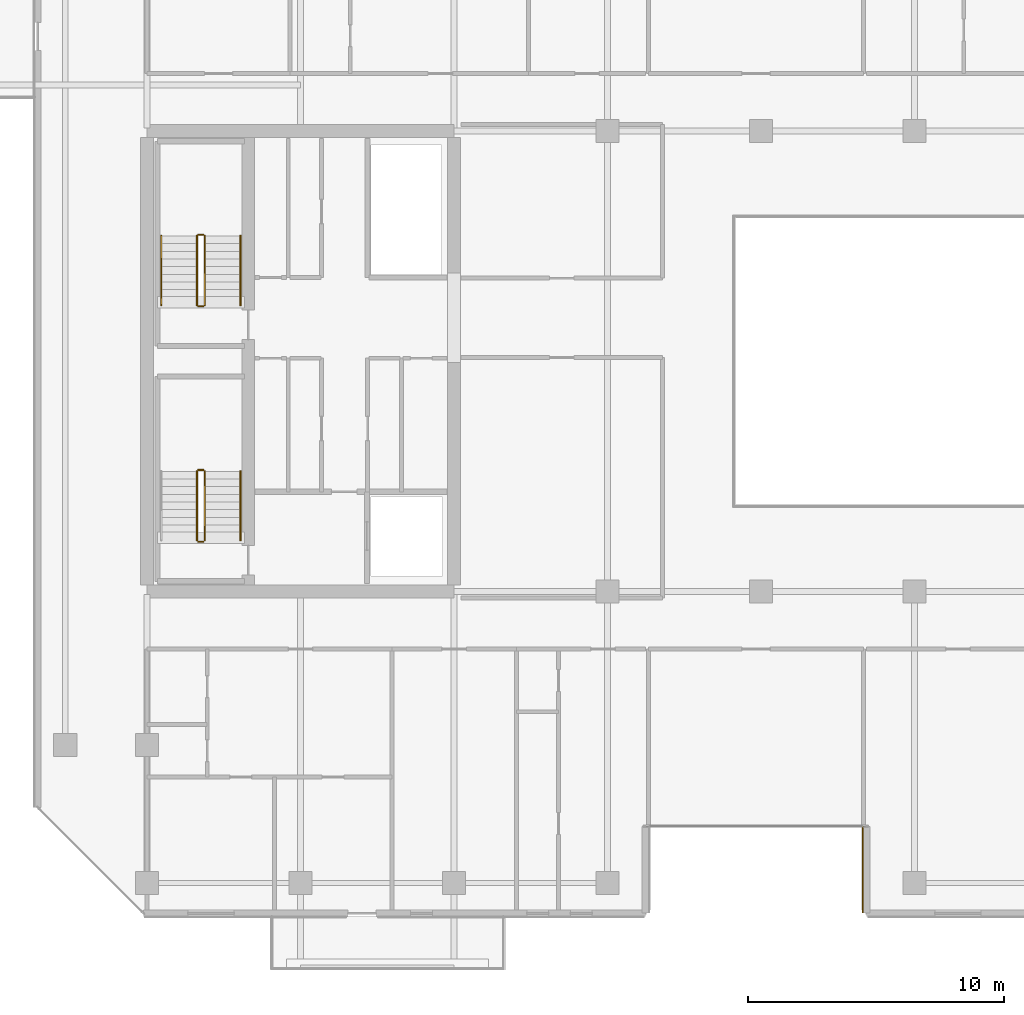
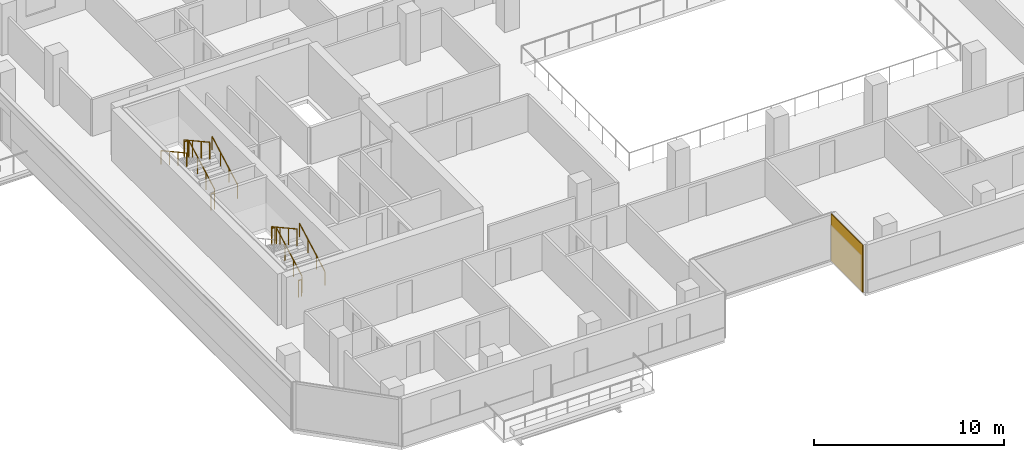
# One storey, part 27 of 29: 11 railings, 1 covering.
"""IFC4 building model written with IfcOpenShell, lengths in metres."""

from ifc_helpers import new_model, si_unit, direction, frame, origin, origin_2d, place, context, subcontext, project, spatial, rectangle, extrude, material, layer, layer_set, type_object, element, save


model = new_model("IFC4")

# Units and contexts
model_context = context("Model", 3, precision=1e-05, world=origin(), true_north=direction((0.0, 1.0)))
body_context = subcontext(model_context, "Body", "Model", "MODEL_VIEW")
ifc_project = project(units=[si_unit("LENGTHUNIT", "METRE"), si_unit("AREAUNIT", "SQUARE_METRE"), si_unit("VOLUMEUNIT", "CUBIC_METRE"), si_unit("PLANEANGLEUNIT", "RADIAN"), si_unit("MASSUNIT", "GRAM", prefix="KILO")], contexts=[model_context])

# Site, building, storey
site_placement = place(None, origin())
site = spatial("IfcSite", under=ifc_project, at=site_placement, CompositionType="ELEMENT")
building_placement = place(site_placement, origin())
building = spatial("IfcBuilding", under=site, at=building_placement, Name="Tanjung Sevakor Pilgrim Tower", CompositionType="ELEMENT")
storey_placement = place(building_placement, frame((0.0, 0.0, 151.800048828125)))
storey = spatial("IfcBuildingStorey", under=building, at=storey_placement, Name="L42", CompositionType="ELEMENT", Elevation=151.800048828125)

# Covering
ifc_material_1 = material(Name="Reconstructed Limestone Cladding", Category="masonry")
ifc_layer = layer(ifc_material_1, 0.044921875)
ifc_layer_set = layer_set([ifc_layer], Name="COV-CLAD-LIMESTONE")
covering_type = type_object("IfcCoveringType", Name="COV-CLAD-LIMESTONE", PredefinedType="CLADDING", material=ifc_layer_set)
covering_placement = place(storey_placement, frame((51.9775390625, 13.72509765625, 0.02001953125), z_axis=(0.0, 0.0, 1.0), x_axis=(0.0, -1.0, 0.0)))
element("IfcCovering", 1, at=covering_placement, inside=storey, type_object=covering_type, Name="L42 Warm Limestone Wall Cladding EW-L42-MAIN-4", PredefinedType="CLADDING", context=body_context, shape_type="SweptSolid", body=[
    extrude(rectangle(XDim=3.360107421875, YDim=0.044921875, at=origin_2d()), origin(), (0.0, 0.0, 1.0), 3.0400390625),
])

# Railings
ifc_material_2 = material(Name="Steel S355J2", Category="steel")
railing_type_1 = type_object("IfcRailingType", Name="RL-STAIR-GUARD", PredefinedType="GUARDRAIL", material=ifc_material_2)
railing_1_placement = place(storey_placement, frame((26.25, 26.60009765625, 0.1650390625)))
element("IfcRailing", 2, at=railing_1_placement, inside=storey, type_object=railing_type_1, Name="L42 TS-W1 stair guard 1", PredefinedType="GUARDRAIL", context=body_context, shape_type="SweptSolid", body=[
    extrude(rectangle(XDim=0.0479, YDim=0.0479), frame((0.0, 0.0, 1.076171875), z_axis=(0.0, 0.876230963923, 0.481891375584), x_axis=(-1.0, 0.0, 0.0)), (0.0, 0.0, 1.0), 3.081298828125),
    extrude(rectangle(XDim=0.042, YDim=0.042), origin(), (0.0, 0.0, 1.0), 1.052001953125),
    extrude(rectangle(XDim=0.042, YDim=0.042), frame((0.0, 0.89990234375, 0.494873046875)), (0.0, 0.0, 1.0), 1.052001953125),
    extrude(rectangle(XDim=0.042, YDim=0.042), frame((0.0, 1.800048828125, 0.989990234375)), (0.0, 0.0, 1.0), 1.052001953125),
    extrude(rectangle(XDim=0.042, YDim=0.042), frame((0.0, 2.699951171875, 1.48486328125)), (0.0, 0.0, 1.0), 1.052001953125),
])
railing_2_placement = place(storey_placement, frame((26.199951171875, 29.35009765625, 1.64990234375)))
element("IfcRailing", 3, at=railing_2_placement, inside=storey, type_object=railing_type_1, Name="L42 TS-W1 stair guard 2", PredefinedType="GUARDRAIL", context=body_context, shape_type="SweptSolid", body=[
    extrude(rectangle(XDim=0.0479, YDim=0.0479), frame((0.0, 0.0, 1.076171875), z_axis=(-1.0, 0.0, 0.0), x_axis=(0.0, -1.0, 0.0)), (0.0, 0.0, 1.0), 0.199951171875),
    extrude(rectangle(XDim=0.042, YDim=0.042), origin(), (0.0, 0.0, 1.0), 1.052001953125),
    extrude(rectangle(XDim=0.042, YDim=0.042), frame((-0.199951171875, 0.0, 0.0)), (0.0, 0.0, 1.0), 1.052001953125),
])
railing_3_placement = place(storey_placement, frame((25.949951171875, 29.300048828125, 1.81494140625)))
element("IfcRailing", 4, at=railing_3_placement, inside=storey, type_object=railing_type_1, Name="L42 TS-W1 stair guard 3", PredefinedType="GUARDRAIL", context=body_context, shape_type="SweptSolid", body=[
    extrude(rectangle(XDim=0.0479, YDim=0.0479), frame((0.0, 0.0, 1.076171875), z_axis=(0.0, -0.876197507361, 0.481952205197), x_axis=(1.0, 0.0, 0.0)), (0.0, 0.0, 1.0), 3.08154296875),
    extrude(rectangle(XDim=0.042, YDim=0.042), origin(), (0.0, 0.0, 1.0), 1.052001953125),
    extrude(rectangle(XDim=0.042, YDim=0.042), frame((0.0, -0.89990234375, 0.4951171875)), (0.0, 0.0, 1.0), 1.052001953125),
    extrude(rectangle(XDim=0.042, YDim=0.042), frame((0.0, -1.800048828125, 0.989990234375)), (0.0, 0.0, 1.0), 1.052001953125),
    extrude(rectangle(XDim=0.042, YDim=0.042), frame((0.0, -2.699951171875, 1.485107421875)), (0.0, 0.0, 1.0), 1.052001953125),
])
railing_4_placement = place(storey_placement, frame((26.199951171875, 26.550048828125, 0.0)))
element("IfcRailing", 5, at=railing_4_placement, inside=storey, type_object=railing_type_1, Name="L42 TS-W1 stair guard 4", PredefinedType="GUARDRAIL", context=body_context, shape_type="SweptSolid", body=[
    extrude(rectangle(XDim=0.0479, YDim=0.0479), frame((0.0, 0.0, 1.076171875), z_axis=(-1.0, 0.0, 0.0), x_axis=(0.0, -1.0, 0.0)), (0.0, 0.0, 1.0), 0.199951171875),
    extrude(rectangle(XDim=0.042, YDim=0.042), origin(), (0.0, 0.0, 1.0), 1.052001953125),
    extrude(rectangle(XDim=0.042, YDim=0.042), frame((-0.199951171875, 0.0, 0.0)), (0.0, 0.0, 1.0), 1.052001953125),
])
railing_5_placement = place(storey_placement, frame((26.25, 35.800048828125, 0.1650390625)))
element("IfcRailing", 6, at=railing_5_placement, inside=storey, type_object=railing_type_1, Name="L42 TS-W2 stair guard 1", PredefinedType="GUARDRAIL", context=body_context, shape_type="SweptSolid", body=[
    extrude(rectangle(XDim=0.0479, YDim=0.0479), frame((0.0, 0.0, 1.076171875), z_axis=(0.0, 0.876230963923, 0.481891375584), x_axis=(-1.0, 0.0, 0.0)), (0.0, 0.0, 1.0), 3.081298828125),
    extrude(rectangle(XDim=0.042, YDim=0.042), origin(), (0.0, 0.0, 1.0), 1.052001953125),
    extrude(rectangle(XDim=0.042, YDim=0.042), frame((0.0, 0.89990234375, 0.494873046875)), (0.0, 0.0, 1.0), 1.052001953125),
    extrude(rectangle(XDim=0.042, YDim=0.042), frame((0.0, 1.800048828125, 0.989990234375)), (0.0, 0.0, 1.0), 1.052001953125),
    extrude(rectangle(XDim=0.042, YDim=0.042), frame((0.0, 2.699951171875, 1.48486328125)), (0.0, 0.0, 1.0), 1.052001953125),
])
railing_6_placement = place(storey_placement, frame((26.199951171875, 38.550048828125, 1.64990234375)))
element("IfcRailing", 7, at=railing_6_placement, inside=storey, type_object=railing_type_1, Name="L42 TS-W2 stair guard 2", PredefinedType="GUARDRAIL", context=body_context, shape_type="SweptSolid", body=[
    extrude(rectangle(XDim=0.0479, YDim=0.0479), frame((0.0, 0.0, 1.076171875), z_axis=(-1.0, 0.0, 0.0), x_axis=(0.0, -1.0, 0.0)), (0.0, 0.0, 1.0), 0.199951171875),
    extrude(rectangle(XDim=0.042, YDim=0.042), origin(), (0.0, 0.0, 1.0), 1.052001953125),
    extrude(rectangle(XDim=0.042, YDim=0.042), frame((-0.199951171875, 0.0, 0.0)), (0.0, 0.0, 1.0), 1.052001953125),
])
railing_7_placement = place(storey_placement, frame((25.949951171875, 38.5, 1.81494140625)))
element("IfcRailing", 8, at=railing_7_placement, inside=storey, type_object=railing_type_1, Name="L42 TS-W2 stair guard 3", PredefinedType="GUARDRAIL", context=body_context, shape_type="SweptSolid", body=[
    extrude(rectangle(XDim=0.0479, YDim=0.0479), frame((0.0, 0.0, 1.076171875), z_axis=(0.0, -0.876197507361, 0.481952205197), x_axis=(1.0, 0.0, 0.0)), (0.0, 0.0, 1.0), 3.08154296875),
    extrude(rectangle(XDim=0.042, YDim=0.042), origin(), (0.0, 0.0, 1.0), 1.052001953125),
    extrude(rectangle(XDim=0.042, YDim=0.042), frame((0.0, -0.89990234375, 0.4951171875)), (0.0, 0.0, 1.0), 1.052001953125),
    extrude(rectangle(XDim=0.042, YDim=0.042), frame((0.0, -1.800048828125, 0.989990234375)), (0.0, 0.0, 1.0), 1.052001953125),
    extrude(rectangle(XDim=0.042, YDim=0.042), frame((0.0, -2.699951171875, 1.485107421875)), (0.0, 0.0, 1.0), 1.052001953125),
])
railing_8_placement = place(storey_placement, frame((26.199951171875, 35.75, 0.0)))
element("IfcRailing", 9, at=railing_8_placement, inside=storey, type_object=railing_type_1, Name="L42 TS-W2 stair guard 4", PredefinedType="GUARDRAIL", context=body_context, shape_type="SweptSolid", body=[
    extrude(rectangle(XDim=0.0479, YDim=0.0479), frame((0.0, 0.0, 1.076171875), z_axis=(-1.0, 0.0, 0.0), x_axis=(0.0, -1.0, 0.0)), (0.0, 0.0, 1.0), 0.199951171875),
    extrude(rectangle(XDim=0.042, YDim=0.042), origin(), (0.0, 0.0, 1.0), 1.052001953125),
    extrude(rectangle(XDim=0.042, YDim=0.042), frame((-0.199951171875, 0.0, 0.0)), (0.0, 0.0, 1.0), 1.052001953125),
])
ifc_material_3 = material(Name="Steel S355J2", Category="steel")
railing_type_2 = type_object("IfcRailingType", Name="RL-STAIR-HAND", PredefinedType="HANDRAIL", material=ifc_material_3)
for number, where, name in (
    (10, (27.64990234375, 26.60009765625, 0.1650390625), "L42 TS-W1 stair handrail 1"),
    (11, (27.64990234375, 35.800048828125, 0.1650390625), "L42 TS-W2 stair handrail 1"),
):
    element("IfcRailing", number, at=place(storey_placement, frame(where)), inside=storey, type_object=railing_type_2, Name=name, PredefinedType="HANDRAIL", context=body_context, shape_type="SweptSolid", body=[
        extrude(rectangle(XDim=0.0479, YDim=0.0479), frame((0.0, 0.0, 0.8759765625), z_axis=(0.0, 0.876230963923, 0.481891375584), x_axis=(-1.0, 0.0, 0.0)), (0.0, 0.0, 1.0), 3.081298828125),
        extrude(rectangle(XDim=0.042, YDim=0.042), origin(), (0.0, 0.0, 1.0), 0.851806640625),
        extrude(rectangle(XDim=0.042, YDim=0.042), frame((0.0, 0.89990234375, 0.494873046875)), (0.0, 0.0, 1.0), 0.851806640625),
        extrude(rectangle(XDim=0.042, YDim=0.042), frame((0.0, 1.800048828125, 0.989990234375)), (0.0, 0.0, 1.0), 0.851806640625),
        extrude(rectangle(XDim=0.042, YDim=0.042), frame((0.0, 2.699951171875, 1.48486328125)), (0.0, 0.0, 1.0), 0.851806640625),
    ])
railing_9_placement = place(storey_placement, frame((24.550048828125, 38.5, 1.81494140625)))
element("IfcRailing", 12, at=railing_9_placement, inside=storey, type_object=railing_type_2, Name="L42 TS-W2 stair handrail 2", PredefinedType="HANDRAIL", context=body_context, shape_type="SweptSolid", body=[
    extrude(rectangle(XDim=0.0479, YDim=0.0479), frame((0.0, 0.0, 0.8759765625), z_axis=(0.0, -0.876197507361, 0.481952205197), x_axis=(1.0, 0.0, 0.0)), (0.0, 0.0, 1.0), 3.08154296875),
    extrude(rectangle(XDim=0.042, YDim=0.042), origin(), (0.0, 0.0, 1.0), 0.851806640625),
    extrude(rectangle(XDim=0.042, YDim=0.042), frame((0.0, -0.89990234375, 0.4951171875)), (0.0, 0.0, 1.0), 0.851806640625),
    extrude(rectangle(XDim=0.042, YDim=0.042), frame((0.0, -1.800048828125, 0.989990234375)), (0.0, 0.0, 1.0), 0.851806640625),
    extrude(rectangle(XDim=0.042, YDim=0.042), frame((0.0, -2.699951171875, 1.485107421875)), (0.0, 0.0, 1.0), 0.851806640625),
])

save(model, "model.ifc")
